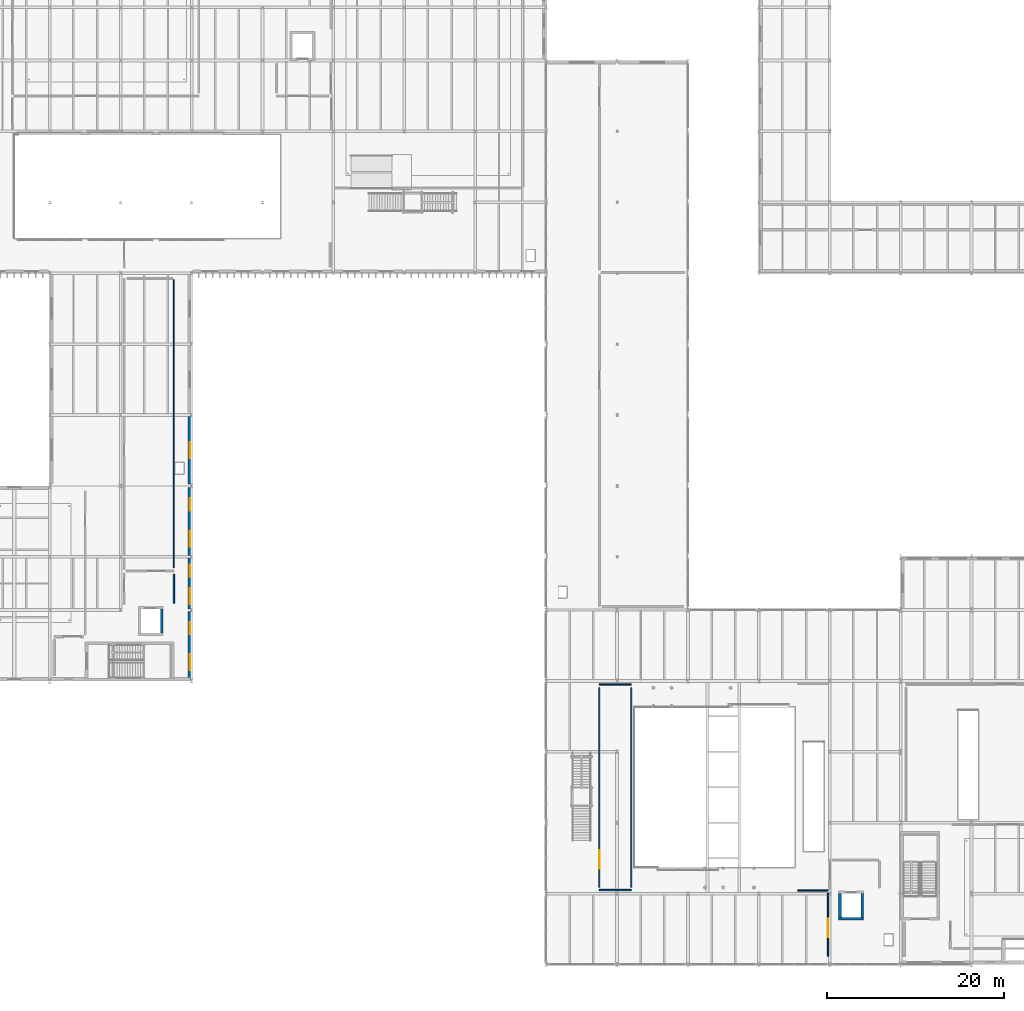
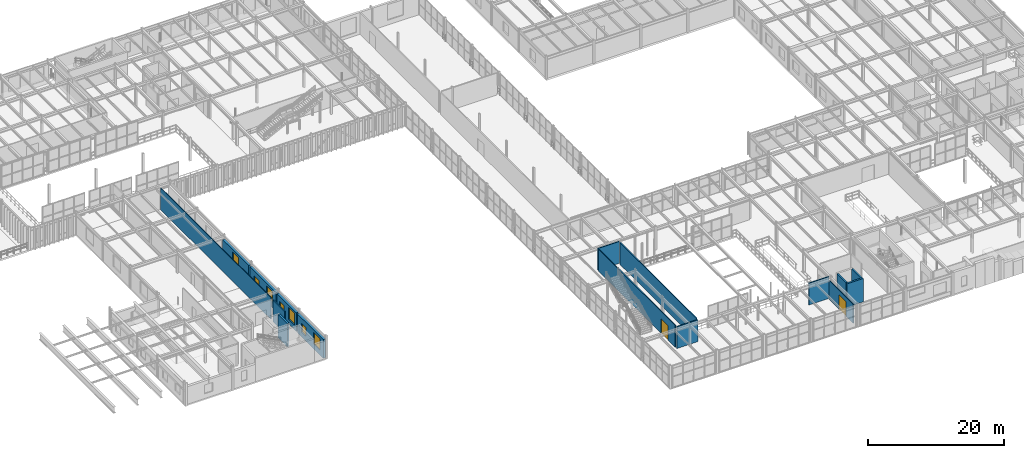
# One storey, part 83 of 122: 16 walls, 7 windows, 2 doors, 9 openings.
"""IFC4 building model written with IfcOpenShell, lengths in metres."""

from ifc_helpers import new_model, si_unit, direction, frame, frame_2d, origin, place, context, subcontext, project, spatial, rectangle, extrude, material, layer, layer_set, type_object, element, fill, save


model = new_model("IFC4")

# Units and contexts
model_context = context("Model", 3, precision=1e-05, world=origin(), true_north=direction((0.0, 1.0)))
body_context = subcontext(model_context, "Body", "Model", "MODEL_VIEW")
ifc_project = project(units=[si_unit("LENGTHUNIT", "METRE"), si_unit("AREAUNIT", "SQUARE_METRE"), si_unit("VOLUMEUNIT", "CUBIC_METRE"), si_unit("PLANEANGLEUNIT", "RADIAN"), si_unit("MASSUNIT", "GRAM", prefix="KILO")], contexts=[model_context])

# Site, building, storey
site_placement = place(None, origin())
site = spatial("IfcSite", under=ifc_project, at=site_placement, CompositionType="ELEMENT")
building_placement = place(site_placement, origin())
building = spatial("IfcBuilding", under=site, at=building_placement, Name="Sundkrona Museum", CompositionType="ELEMENT")
storey_placement = place(building_placement, frame((0.0, 0.0, 5.39990234375)))
storey = spatial("IfcBuildingStorey", under=building, at=storey_placement, Name="L01", CompositionType="ELEMENT", Elevation=5.39990234375)

# Walls
ifc_material_1 = material(Name="Concrete C40/50", Category="concrete")
ifc_layer_1 = layer(ifc_material_1, 0.300048828125)
ifc_layer_set_1 = layer_set([ifc_layer_1], Name="Concrete C40/50")
wall_type_1 = type_object("IfcWallType", Name="W-CORE-300", PredefinedType="SHEAR", material=ifc_layer_set_1)
wall_1_placement = place(storey_placement, frame((113.0, 5.14990234375, 0.0), z_axis=(0.0, 0.0, 1.0), x_axis=(1.0, 0.0, 0.0)))
element("IfcWall", 1, at=wall_1_placement, inside=storey, type_object=wall_type_1, Name="L01 PL-2 Lift Shaft Wall South", PredefinedType="SHEAR", context=body_context, shape_type="SweptSolid", body=[
    extrude(rectangle(XDim=2.800048828125, YDim=0.300048828125, at=frame_2d((1.39990234375, 0.0))), origin(), (0.0, 0.0, 1.0), 4.2001953125),
])
for number, where, z_axis, x_axis, name in (
    (2, (113.14990234375, 5.31005859375, 0.0), (0.0, 0.0, 1.0), (0.0, 1.0, 0.0), "L01 PL-2 Lift Shaft Wall West"),
    (3, (115.64990234375, 5.31005859375, 0.0), (0.0, 0.0, 1.0), (0.0, 1.0, 0.0), "L01 PL-2 Lift Shaft Wall East"),
):
    element("IfcWall", number, at=place(storey_placement, frame(where, z_axis=z_axis, x_axis=x_axis)), inside=storey, type_object=wall_type_1, Name=name, PredefinedType="SHEAR", context=body_context, shape_type="SweptSolid", body=[
        extrude(rectangle(XDim=2.679931640625, YDim=0.300048828125, at=frame_2d((1.33984375, 0.0))), origin(), (0.0, 0.0, 1.0), 4.2001953125),
    ])
wall_2_placement = place(storey_placement, frame((36.64990234375, 37.409912109375, 0.0), z_axis=(0.0, 0.0, 1.0), x_axis=(0.0, 1.0, 0.0)))
element("IfcWall", 4, at=wall_2_placement, inside=storey, type_object=wall_type_1, Name="L01 PL-4 Lift Shaft Wall East", PredefinedType="SHEAR", context=body_context, shape_type="SweptSolid", body=[
    extrude(rectangle(XDim=2.68017578125, YDim=0.300048828125, at=frame_2d((1.340087890625, 0.0))), origin(), (0.0, 0.0, 1.0), 4.2001953125),
])

# Wall, openings, windows
ifc_material_2 = material(Name="Scanian Polychrome Clay Brickwork 390 mm", Category="masonry")
ifc_layer_2 = layer(ifc_material_2, 0.389892578125)
ifc_layer_set_2 = layer_set([ifc_layer_2], Name="Scanian Polychrome Clay Brickwork 390 mm")
wall_type_2 = type_object("IfcWallType", Name="W-EX-390", PredefinedType="SOLIDWALL", material=ifc_layer_set_2)
wall_3_placement = place(storey_placement, frame((39.804931640625, 39.85791015625, 0.0), z_axis=(0.0, 0.0, 1.0), x_axis=(0.0, -1.0, 0.0)))
wall_3 = element("IfcWall", 5, at=wall_3_placement, inside=storey, type_object=wall_type_2, Name="L01 Facade Wall 0216", PredefinedType="SOLIDWALL", context=body_context, shape_type="SweptSolid", body=[
    extrude(rectangle(XDim=7.658447265625, YDim=0.389892578125, at=frame_2d((3.8291015625, 0.0))), origin(), (0.0, 0.0, 1.0), 3.3701171875),
])
opening_1_placement = place(wall_3_placement, frame((1.214599609375, 0.0, 0.85009765625)))
opening_1 = element("IfcOpeningElement", 6, at=opening_1_placement, cuts=wall_3, Name="Opening WN-LB-140x160", PredefinedType="OPENING", context=body_context, shape_type="SweptSolid", body=[
    extrude(rectangle(XDim=1.39990234375, YDim=1.60009765625, at=frame_2d((0.699951171875, 0.800048828125))), frame((0.0, 0.204833984375, 0.0), z_axis=(0.0, -1.0, 0.0), x_axis=(1.0, 0.0, 0.0)), (0.0, 0.0, 1.0), 0.409912109375),
])
opening_2_placement = place(wall_3_placement, frame((4.843994140625, 0.0, 0.85009765625)))
opening_2 = element("IfcOpeningElement", 7, at=opening_2_placement, cuts=wall_3, Name="Opening WN-ED-180x210", PredefinedType="OPENING", context=body_context, shape_type="SweptSolid", body=[
    extrude(rectangle(XDim=1.800048828125, YDim=2.10009765625, at=frame_2d((0.89990234375, 1.050048828125))), frame((0.0, 0.204833984375, 0.0), z_axis=(0.0, -1.0, 0.0), x_axis=(1.0, 0.0, 0.0)), (0.0, 0.0, 1.0), 0.409912109375),
])
ifc_material_3 = material(Name="Triple Low-E Argon Glazing in Bronze-Anodised Aluminium", Category="aluminium")
window_type_1 = type_object("IfcWindowType", Name="WN-ED-180x210", PartitioningType="DOUBLE_PANEL_VERTICAL", PredefinedType="WINDOW", material=ifc_material_3)
window_1_placement = place(opening_2_placement, origin())
window_1 = element("IfcWindow", 8, at=window_1_placement, inside=storey, type_object=window_type_1, Name="L01 Education studio courtyard window 1800x2100 WIN-L01-0298", OverallHeight=2.10009765625, OverallWidth=1.800048828125, PartitioningType="DOUBLE_PANEL_VERTICAL", PredefinedType="WINDOW", context=body_context, shape_type="SweptSolid", body=[
    extrude(rectangle(XDim=1.800048828125, YDim=2.10009765625, at=frame_2d((0.89990234375, 1.050048828125))), frame((0.0, 0.030029296875, 0.0), z_axis=(0.0, -1.0, 0.0), x_axis=(1.0, 0.0, 0.0)), (0.0, 0.0, 1.0), 0.06005859375),
])
fill(opening_2, window_1)
window_type_2 = type_object("IfcWindowType", Name="WN-LB-140x160", PartitioningType="SINGLE_PANEL", PredefinedType="WINDOW", material=ifc_material_3)
window_2_placement = place(opening_1_placement, origin())
window_2 = element("IfcWindow", 9, at=window_2_placement, inside=storey, type_object=window_type_2, Name="L01 Curatorial study window 1400x1600 WIN-L01-0297", OverallHeight=1.60009765625, OverallWidth=1.39990234375, PartitioningType="SINGLE_PANEL", PredefinedType="WINDOW", context=body_context, shape_type="SweptSolid", body=[
    extrude(rectangle(XDim=1.39990234375, YDim=1.60009765625, at=frame_2d((0.699951171875, 0.800048828125))), frame((0.0, 0.030029296875, 0.0), z_axis=(0.0, -1.0, 0.0), x_axis=(1.0, 0.0, 0.0)), (0.0, 0.0, 1.0), 0.06005859375),
])
fill(opening_1, window_2)

wall_4_placement = place(storey_placement, frame((39.804931640625, 45.85791015625, 0.0), z_axis=(0.0, 0.0, 1.0), x_axis=(0.0, -1.0, 0.0)))
wall_4 = element("IfcWall", 10, at=wall_4_placement, inside=storey, type_object=wall_type_2, Name="L01 Facade Wall 0217", PredefinedType="SOLIDWALL", context=body_context, shape_type="SweptSolid", body=[
    extrude(rectangle(XDim=5.7158203125, YDim=0.389892578125, at=frame_2d((2.85791015625, 0.0))), origin(), (0.0, 0.0, 1.0), 3.3701171875),
])
opening_3_placement = place(wall_4_placement, frame((0.72900390625, 0.0, 0.85009765625)))
opening_3 = element("IfcOpeningElement", 11, at=opening_3_placement, cuts=wall_4, Name="Opening WN-LB-140x160", PredefinedType="OPENING", context=body_context, shape_type="SweptSolid", body=[
    extrude(rectangle(XDim=1.39990234375, YDim=1.60009765625, at=frame_2d((0.699951171875, 0.800048828125))), frame((0.0, 0.204833984375, 0.0), z_axis=(0.0, -1.0, 0.0), x_axis=(1.0, 0.0, 0.0)), (0.0, 0.0, 1.0), 0.409912109375),
])
opening_4_placement = place(wall_4_placement, frame((3.386962890625, 0.0, 0.85009765625)))
opening_4 = element("IfcOpeningElement", 12, at=opening_4_placement, cuts=wall_4, Name="Opening WN-ED-180x210", PredefinedType="OPENING", context=body_context, shape_type="SweptSolid", body=[
    extrude(rectangle(XDim=1.800048828125, YDim=2.10009765625, at=frame_2d((0.89990234375, 1.050048828125))), frame((0.0, 0.204833984375, 0.0), z_axis=(0.0, -1.0, 0.0), x_axis=(1.0, 0.0, 0.0)), (0.0, 0.0, 1.0), 0.409912109375),
])
window_3_placement = place(opening_4_placement, origin())
window_3 = element("IfcWindow", 13, at=window_3_placement, inside=storey, type_object=window_type_1, Name="L01 Education studio courtyard window 1800x2100 WIN-L01-0300", OverallHeight=2.10009765625, OverallWidth=1.800048828125, PartitioningType="DOUBLE_PANEL_VERTICAL", PredefinedType="WINDOW", context=body_context, shape_type="SweptSolid", body=[
    extrude(rectangle(XDim=1.800048828125, YDim=2.10009765625, at=frame_2d((0.89990234375, 1.050048828125))), frame((0.0, 0.030029296875, 0.0), z_axis=(0.0, -1.0, 0.0), x_axis=(1.0, 0.0, 0.0)), (0.0, 0.0, 1.0), 0.06005859375),
])
fill(opening_4, window_3)
window_4_placement = place(opening_3_placement, origin())
window_4 = element("IfcWindow", 14, at=window_4_placement, inside=storey, type_object=window_type_2, Name="L01 Curatorial study window 1400x1600 WIN-L01-0299", OverallHeight=1.60009765625, OverallWidth=1.39990234375, PartitioningType="SINGLE_PANEL", PredefinedType="WINDOW", context=body_context, shape_type="SweptSolid", body=[
    extrude(rectangle(XDim=1.39990234375, YDim=1.60009765625, at=frame_2d((0.699951171875, 0.800048828125))), frame((0.0, 0.030029296875, 0.0), z_axis=(0.0, -1.0, 0.0), x_axis=(1.0, 0.0, 0.0)), (0.0, 0.0, 1.0), 0.06005859375),
])
fill(opening_3, window_4)

wall_5_placement = place(storey_placement, frame((39.804931640625, 53.800537109375, 0.0), z_axis=(0.0, 0.0, 1.0), x_axis=(0.0, -1.0, 0.0)))
wall_5 = element("IfcWall", 15, at=wall_5_placement, inside=storey, type_object=wall_type_2, Name="L01 Facade Wall 0218", PredefinedType="SOLIDWALL", context=body_context, shape_type="SweptSolid", body=[
    extrude(rectangle(XDim=7.658447265625, YDim=0.389892578125, at=frame_2d((3.8291015625, 0.0))), origin(), (0.0, 0.0, 1.0), 3.3701171875),
])
opening_5_placement = place(wall_5_placement, frame((1.214599609375, 0.0, 0.85009765625)))
opening_5 = element("IfcOpeningElement", 16, at=opening_5_placement, cuts=wall_5, Name="Opening WN-LB-140x160", PredefinedType="OPENING", context=body_context, shape_type="SweptSolid", body=[
    extrude(rectangle(XDim=1.39990234375, YDim=1.60009765625, at=frame_2d((0.699951171875, 0.800048828125))), frame((0.0, 0.204833984375, 0.0), z_axis=(0.0, -1.0, 0.0), x_axis=(1.0, 0.0, 0.0)), (0.0, 0.0, 1.0), 0.409912109375),
])
opening_6_placement = place(wall_5_placement, frame((4.843994140625, 0.0, 0.85009765625)))
opening_6 = element("IfcOpeningElement", 17, at=opening_6_placement, cuts=wall_5, Name="Opening WN-ED-180x210", PredefinedType="OPENING", context=body_context, shape_type="SweptSolid", body=[
    extrude(rectangle(XDim=1.800048828125, YDim=2.10009765625, at=frame_2d((0.89990234375, 1.050048828125))), frame((0.0, 0.204833984375, 0.0), z_axis=(0.0, -1.0, 0.0), x_axis=(1.0, 0.0, 0.0)), (0.0, 0.0, 1.0), 0.409912109375),
])
window_5_placement = place(opening_6_placement, origin())
window_5 = element("IfcWindow", 18, at=window_5_placement, inside=storey, type_object=window_type_1, Name="L01 Education studio courtyard window 1800x2100 WIN-L01-0302", OverallHeight=2.10009765625, OverallWidth=1.800048828125, PartitioningType="DOUBLE_PANEL_VERTICAL", PredefinedType="WINDOW", context=body_context, shape_type="SweptSolid", body=[
    extrude(rectangle(XDim=1.800048828125, YDim=2.10009765625, at=frame_2d((0.89990234375, 1.050048828125))), frame((0.0, 0.030029296875, 0.0), z_axis=(0.0, -1.0, 0.0), x_axis=(1.0, 0.0, 0.0)), (0.0, 0.0, 1.0), 0.06005859375),
])
fill(opening_6, window_5)
window_6_placement = place(opening_5_placement, origin())
window_6 = element("IfcWindow", 19, at=window_6_placement, inside=storey, type_object=window_type_2, Name="L01 Curatorial study window 1400x1600 WIN-L01-0301", OverallHeight=1.60009765625, OverallWidth=1.39990234375, PartitioningType="SINGLE_PANEL", PredefinedType="WINDOW", context=body_context, shape_type="SweptSolid", body=[
    extrude(rectangle(XDim=1.39990234375, YDim=1.60009765625, at=frame_2d((0.699951171875, 0.800048828125))), frame((0.0, 0.030029296875, 0.0), z_axis=(0.0, -1.0, 0.0), x_axis=(1.0, 0.0, 0.0)), (0.0, 0.0, 1.0), 0.06005859375),
])
fill(opening_5, window_6)

# Wall, opening, window
wall_6_placement = place(storey_placement, frame((39.804931640625, 61.85791015625, 0.0), z_axis=(0.0, 0.0, 1.0), x_axis=(0.0, -1.0, 0.0)))
wall_6 = element("IfcWall", 20, at=wall_6_placement, inside=storey, type_object=wall_type_2, Name="L01 Facade Wall 0220", PredefinedType="SOLIDWALL", context=body_context, shape_type="SweptSolid", body=[
    extrude(rectangle(XDim=7.658447265625, YDim=0.389892578125, at=frame_2d((3.8291015625, 0.0))), origin(), (0.0, 0.0, 1.0), 3.3701171875),
])
opening_7_placement = place(wall_6_placement, frame((2.92919921875, 0.0, 0.85009765625)))
opening_7 = element("IfcOpeningElement", 21, at=opening_7_placement, cuts=wall_6, Name="Opening WN-ED-180x210", PredefinedType="OPENING", context=body_context, shape_type="SweptSolid", body=[
    extrude(rectangle(XDim=1.800048828125, YDim=2.10009765625, at=frame_2d((0.89990234375, 1.050048828125))), frame((0.0, 0.204833984375, 0.0), z_axis=(0.0, -1.0, 0.0), x_axis=(1.0, 0.0, 0.0)), (0.0, 0.0, 1.0), 0.409912109375),
])
window_7_placement = place(opening_7_placement, origin())
window_7 = element("IfcWindow", 22, at=window_7_placement, inside=storey, type_object=window_type_1, Name="L01 Education studio courtyard window 1800x2100 WIN-L01-0304", OverallHeight=2.10009765625, OverallWidth=1.800048828125, PartitioningType="DOUBLE_PANEL_VERTICAL", PredefinedType="WINDOW", context=body_context, shape_type="SweptSolid", body=[
    extrude(rectangle(XDim=1.800048828125, YDim=2.10009765625, at=frame_2d((0.89990234375, 1.050048828125))), frame((0.0, 0.030029296875, 0.0), z_axis=(0.0, -1.0, 0.0), x_axis=(1.0, 0.0, 0.0)), (0.0, 0.0, 1.0), 0.06005859375),
])
fill(opening_7, window_7)

# Walls
ifc_material_4 = material(Name="Gypsum metal-stud Partition Board 125 mm", Category="other")
ifc_layer_3 = layer(ifc_material_4, 0.125)
ifc_layer_set_3 = layer_set([ifc_layer_3], Name="Gypsum metal-stud Partition Board 125 mm")
wall_type_3 = type_object("IfcWallType", Name="W-PT-125", PredefinedType="PARTITIONING", material=ifc_layer_set_3)
wall_7_placement = place(storey_placement, frame((38.0, 44.75, 0.0), z_axis=(0.0, 0.0, 1.0), x_axis=(0.0, 1.0, 0.0)))
element("IfcWall", 23, at=wall_7_placement, inside=storey, type_object=wall_type_3, Name="L01 Curatorial Research Suite Enclosure Wall E", PredefinedType="PARTITIONING", context=body_context, shape_type="SweptSolid", body=[
    extrude(rectangle(XDim=32.5, YDim=0.125, at=frame_2d((16.25, 0.0))), origin(), (0.0, 0.0, 1.0), 3.900146484375),
])
ifc_material_5 = material(Name="Acoustic Gypsum Partition Board 150 mm", Category="other")
ifc_layer_4 = layer(ifc_material_5, 0.14990234375)
ifc_layer_set_4 = layer_set([ifc_layer_4], Name="Acoustic Gypsum Partition Board 150 mm")
wall_type_4 = type_object("IfcWallType", Name="W-PT-150", PredefinedType="PARTITIONING", material=ifc_layer_set_4)
wall_8_placement = place(storey_placement, frame((86.0, 31.60009765625, 0.0), z_axis=(0.0, 0.0, 1.0), x_axis=(1.0, 0.0, 0.0)))
element("IfcWall", 24, at=wall_8_placement, inside=storey, type_object=wall_type_4, Name="L01 Partition Atrium Rim Promenade / Atrium West Gallery", PredefinedType="PARTITIONING", context=body_context, shape_type="SweptSolid", body=[
    extrude(rectangle(XDim=3.60009765625, YDim=0.14990234375, at=frame_2d((1.800048828125, 0.0))), origin(), (0.0, 0.0, 1.0), 3.940185546875),
])
wall_9_placement = place(storey_placement, frame((108.39990234375, 8.35009765625, 0.0), z_axis=(0.0, 0.0, 1.0), x_axis=(1.0, 0.0, 0.0)))
element("IfcWall", 25, at=wall_9_placement, inside=storey, type_object=wall_type_4, Name="L01 Partition Atrium East Promenade / Atrium South Gallery", PredefinedType="PARTITIONING", context=body_context, shape_type="SweptSolid", body=[
    extrude(rectangle(XDim=3.400146484375, YDim=0.14990234375, at=frame_2d((1.7001953125, 0.0))), origin(), (0.0, 0.0, 1.0), 3.940185546875),
])
wall_10_placement = place(storey_placement, frame((86.0, 8.39990234375, 0.0), z_axis=(0.0, 0.0, 1.0), x_axis=(1.0, 0.0, 0.0)))
element("IfcWall", 26, at=wall_10_placement, inside=storey, type_object=wall_type_4, Name="L01 Partition Atrium South Gallery / Atrium West Gallery", PredefinedType="PARTITIONING", context=body_context, shape_type="SweptSolid", body=[
    extrude(rectangle(XDim=3.60009765625, YDim=0.14990234375, at=frame_2d((1.800048828125, 0.0))), origin(), (0.0, 0.0, 1.0), 3.940185546875),
])

# Wall, opening, door
wall_11_placement = place(storey_placement, frame((111.800048828125, 0.949951171875, 0.0), z_axis=(0.0, 0.0, 1.0), x_axis=(0.0, 1.0, 0.0)))
wall_11 = element("IfcWall", 27, at=wall_11_placement, inside=storey, type_object=wall_type_4, Name="L01 Atrium South Gallery Enclosure Wall E", PredefinedType="PARTITIONING", context=body_context, shape_type="SweptSolid", body=[
    extrude(rectangle(XDim=7.10009765625, YDim=0.14990234375, at=frame_2d((3.550048828125, 0.0))), origin(), (0.0, 0.0, 1.0), 3.400146484375),
])
opening_8_placement = place(wall_11_placement, frame((2.13330078125, 0.0, 0.0)))
opening_8 = element("IfcOpeningElement", 28, at=opening_8_placement, cuts=wall_11, Name="Opening D-GAL-210", PredefinedType="OPENING", context=body_context, shape_type="SweptSolid", body=[
    extrude(rectangle(XDim=2.10009765625, YDim=2.60009765625, at=frame_2d((1.050048828125, 1.300048828125))), frame((0.0, 0.0849609375, 0.0), z_axis=(0.0, -1.0, 0.0), x_axis=(1.0, 0.0, 0.0)), (0.0, 0.0, 1.0), 0.169921875),
])
ifc_material_6 = material(Name="European Oak Gallery Door", Category="other")
door_type = type_object("IfcDoorType", Name="D-GAL-210", OperationType="DOUBLE_DOOR_SINGLE_SWING", PredefinedType="DOOR", material=ifc_material_6)
door_1_placement = place(opening_8_placement, origin())
door_1 = element("IfcDoor", 29, at=door_1_placement, inside=storey, type_object=door_type, Name="L01 Interior Door DR-INT-L01-0109", OperationType="DOUBLE_DOOR_SINGLE_SWING", OverallHeight=2.60009765625, OverallWidth=2.10009765625, PredefinedType="DOOR", context=body_context, shape_type="SweptSolid", body=[
    extrude(rectangle(XDim=2.10009765625, YDim=2.60009765625, at=frame_2d((1.050048828125, 1.300048828125))), frame((0.0, 0.02490234375, 0.0), z_axis=(0.0, -1.0, 0.0), x_axis=(1.0, 0.0, 0.0)), (0.0, 0.0, 1.0), 0.050048828125),
])
fill(opening_8, door_1)

wall_12_placement = place(storey_placement, frame((86.0, 8.75, 0.0), z_axis=(0.0, 0.0, 1.0), x_axis=(0.0, 1.0, 0.0)))
wall_12 = element("IfcWall", 30, at=wall_12_placement, inside=storey, type_object=wall_type_4, Name="L01 Atrium West Gallery Enclosure Wall W", PredefinedType="PARTITIONING", context=body_context, shape_type="SweptSolid", body=[
    extrude(rectangle(XDim=22.5, YDim=0.14990234375, at=frame_2d((11.25, 0.0))), origin(), (0.0, 0.0, 1.0), 3.940185546875),
])
opening_9_placement = place(wall_12_placement, frame((2.06787109375, 0.0, 0.0)))
opening_9 = element("IfcOpeningElement", 31, at=opening_9_placement, cuts=wall_12, Name="Opening D-GAL-210", PredefinedType="OPENING", context=body_context, shape_type="SweptSolid", body=[
    extrude(rectangle(XDim=2.10009765625, YDim=2.60009765625, at=frame_2d((1.050048828125, 1.300048828125))), frame((0.0, 0.0849609375, 0.0), z_axis=(0.0, -1.0, 0.0), x_axis=(1.0, 0.0, 0.0)), (0.0, 0.0, 1.0), 0.169921875),
])
door_2_placement = place(opening_9_placement, origin())
door_2 = element("IfcDoor", 32, at=door_2_placement, inside=storey, type_object=door_type, Name="L01 Interior Door DR-INT-L01-0110", OperationType="DOUBLE_DOOR_SINGLE_SWING", OverallHeight=2.60009765625, OverallWidth=2.10009765625, PredefinedType="DOOR", context=body_context, shape_type="SweptSolid", body=[
    extrude(rectangle(XDim=2.10009765625, YDim=2.60009765625, at=frame_2d((1.050048828125, 1.300048828125))), frame((0.0, 0.02490234375, 0.0), z_axis=(0.0, -1.0, 0.0), x_axis=(1.0, 0.0, 0.0)), (0.0, 0.0, 1.0), 0.050048828125),
])
fill(opening_9, door_2)

# Walls
wall_13_placement = place(storey_placement, frame((89.60009765625, 8.75, 0.0), z_axis=(0.0, 0.0, 1.0), x_axis=(0.0, 1.0, 0.0)))
element("IfcWall", 33, at=wall_13_placement, inside=storey, type_object=wall_type_4, Name="L01 Atrium West Gallery Enclosure Wall E", PredefinedType="PARTITIONING", context=body_context, shape_type="SweptSolid", body=[
    extrude(rectangle(XDim=22.5, YDim=0.14990234375, at=frame_2d((11.25, 0.0))), origin(), (0.0, 0.0, 1.0), 3.940185546875),
])
ifc_material_7 = material(Name="Fire-rated Gypsum Partition Board 175 mm", Category="other")
ifc_layer_5 = layer(ifc_material_7, 0.175048828125)
ifc_layer_set_5 = layer_set([ifc_layer_5], Name="Fire-rated Gypsum Partition Board 175 mm")
wall_type_5 = type_object("IfcWallType", Name="W-PT-175", PredefinedType="PARTITIONING", material=ifc_layer_set_5)
wall_14_placement = place(storey_placement, frame((38.0, 40.75, 0.0), z_axis=(0.0, 0.0, 1.0), x_axis=(0.0, 1.0, 0.0)))
element("IfcWall", 34, at=wall_14_placement, inside=storey, type_object=wall_type_5, Name="L01 West Pavilion Lift Lobby Enclosure Wall E", PredefinedType="PARTITIONING", context=body_context, shape_type="SweptSolid", body=[
    extrude(rectangle(XDim=3.300048828125, YDim=0.175048828125, at=frame_2d((1.64990234375, 0.0))), origin(), (0.0, 0.0, 1.0), 3.875),
])

save(model, "model.ifc")
